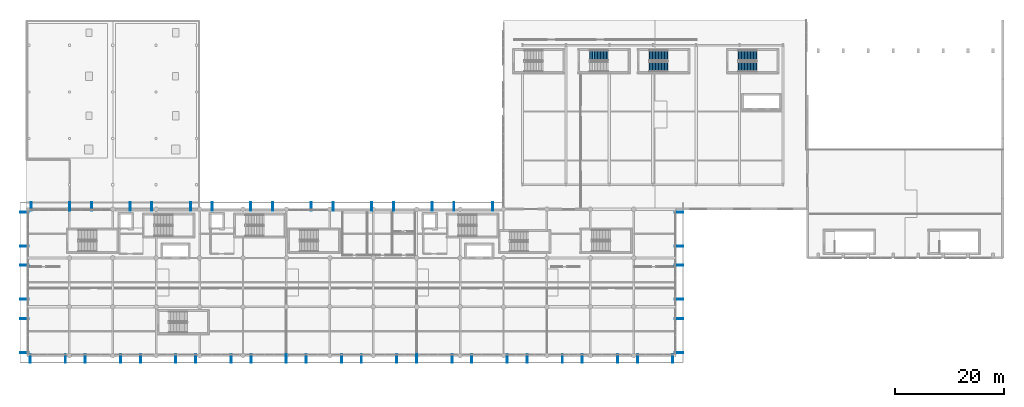
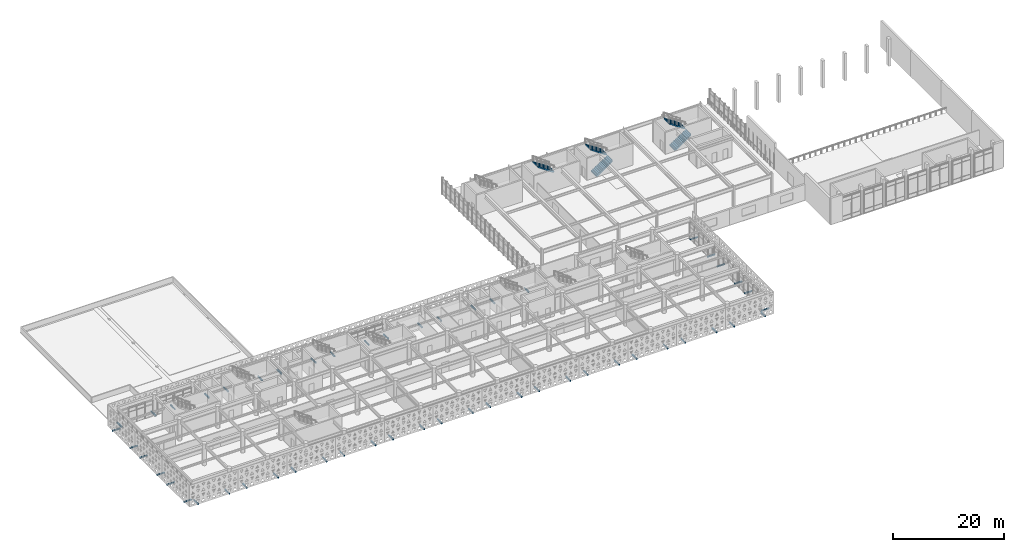
# One storey, part 42 of 54: 52 discrete accessories, 5 stair flights, 3 elements without a shape of their own.
"""IFC4 building model written with IfcOpenShell, lengths in metres."""

from ifc_helpers import new_model, si_unit, direction, frame, origin, origin_2d, place, context, subcontext, project, spatial, polyline, rectangle, outline, extrude, material, layer, layer_set, type_object, element, aggregate, save


model = new_model("IFC4")

# Units and contexts
model_context = context("Model", 3, precision=1e-05, world=origin(), true_north=direction((0.0, 1.0)))
body_context = subcontext(model_context, "Body", "Model", "MODEL_VIEW")
ifc_project = project(units=[si_unit("LENGTHUNIT", "METRE"), si_unit("AREAUNIT", "SQUARE_METRE"), si_unit("VOLUMEUNIT", "CUBIC_METRE"), si_unit("PLANEANGLEUNIT", "RADIAN"), si_unit("MASSUNIT", "GRAM", prefix="KILO")], contexts=[model_context])

# Site, building, storey
site_placement = place(None, origin())
site = spatial("IfcSite", under=ifc_project, at=site_placement, CompositionType="ELEMENT")
building_placement = place(site_placement, origin())
building = spatial("IfcBuilding", under=site, at=building_placement, Name="Tlacozan Convention Centre", CompositionType="ELEMENT")
storey_placement = place(building_placement, frame((0.0, 0.0, 11.39990234375)))
storey = spatial("IfcBuildingStorey", under=building, at=storey_placement, Name="L02", CompositionType="ELEMENT", Elevation=11.39990234375)

# Stair, stair flights
ifc_material_1 = material(Name="Concrete C40/50", Category="concrete")
stair_type = type_object("IfcStairType", Name="Protected Dogleg Stair W188 H48", PredefinedType="HALF_TURN_STAIR", material=ifc_material_1)
stair_1_placement = place(storey_placement, origin())
stair_1 = element("IfcStair", 1, at=stair_1_placement, inside=storey, type_object=stair_type, Name="L02 Ballroom and Plenary Hub Core Stair ST-03", PredefinedType="HALF_TURN_STAIR")
stair_flight_type = type_object("IfcStairFlightType", Name="Concrete Stair Flight W188 H48", PredefinedType="STRAIGHT", material=ifc_material_1)
stair_flight_1_placement = place(storey_placement, frame((131.280029296875, 53.239990234375, 0.0), z_axis=(0.0, 0.0, 1.0), x_axis=(1.0, 0.0, 0.0)))
stair_flight_1 = element("IfcStairFlight", 2, at=stair_flight_1_placement, type_object=stair_flight_type, Name="ST-03 flight 1", NumberOfRisers=13, NumberOfTreads=12, PredefinedType="STRAIGHT", RiserHeight=0.184615385, TreadLength=0.28, context=body_context, shape_type="SweptSolid", body=[
    extrude(outline(polyline([(-0.044921875, -0.14990234375), (-0.044921875, 0.0), (0.0, 0.0), (0.0, 0.1845703125), (0.280029296875, 0.1845703125), (0.280029296875, 0.369140625), (0.56005859375, 0.369140625), (0.56005859375, 0.553955078125), (0.840087890625, 0.553955078125), (0.840087890625, 0.738525390625), (1.1201171875, 0.738525390625), (1.1201171875, 0.923095703125), (1.39990234375, 0.923095703125), (1.39990234375, 1.107666015625), (1.679931640625, 1.107666015625), (1.679931640625, 1.292236328125), (1.9599609375, 1.292236328125), (1.9599609375, 1.476806640625), (2.239990234375, 1.476806640625), (2.239990234375, 1.66162109375), (2.52001953125, 1.66162109375), (2.52001953125, 1.84619140625), (2.800048828125, 1.84619140625), (2.800048828125, 2.03076171875), (3.080078125, 2.03076171875), (3.080078125, 2.21533203125), (3.360107421875, 2.21533203125), (3.360107421875, 2.39990234375), (3.405029296875, 2.39990234375), (3.405029296875, 2.25), (3.360107421875, 2.035888671875), (0.272216796875, -0.14990234375), (-0.044921875, -0.14990234375)])), frame((0.0, 0.93994140625, 0.0), z_axis=(0.0, -1.0, 0.0), x_axis=(1.0, 0.0, 0.0)), (0.0, 0.0, 1.0), 1.8798828125),
])
stair_flight_2_placement = place(storey_placement, frame((134.639892578125, 55.320068359375, 2.400146484375), z_axis=(0.0, 0.0, 1.0), x_axis=(-1.0, 0.0, 0.0)))
stair_flight_2 = element("IfcStairFlight", 3, at=stair_flight_2_placement, type_object=stair_flight_type, Name="ST-03 flight 2", NumberOfRisers=13, NumberOfTreads=12, PredefinedType="STRAIGHT", RiserHeight=0.184615385, TreadLength=0.28, context=body_context, shape_type="SweptSolid", body=[
    extrude(outline(polyline([(-0.044921875, -0.14990234375), (-0.044921875, 0.0), (0.0, 0.0), (0.0, 0.1845703125), (0.280029296875, 0.1845703125), (0.280029296875, 0.369140625), (0.56005859375, 0.369140625), (0.56005859375, 0.553955078125), (0.840087890625, 0.553955078125), (0.840087890625, 0.738525390625), (1.1201171875, 0.738525390625), (1.1201171875, 0.923095703125), (1.39990234375, 0.923095703125), (1.39990234375, 1.107666015625), (1.679931640625, 1.107666015625), (1.679931640625, 1.292236328125), (1.9599609375, 1.292236328125), (1.9599609375, 1.476806640625), (2.239990234375, 1.476806640625), (2.239990234375, 1.66162109375), (2.52001953125, 1.66162109375), (2.52001953125, 1.84619140625), (2.800048828125, 1.84619140625), (2.800048828125, 2.03076171875), (3.080078125, 2.03076171875), (3.080078125, 2.21533203125), (3.360107421875, 2.21533203125), (3.360107421875, 2.39990234375), (3.405029296875, 2.39990234375), (3.405029296875, 2.25), (3.360107421875, 2.035888671875), (0.272216796875, -0.14990234375), (-0.044921875, -0.14990234375)])), frame((0.0, 0.93994140625, 0.0), z_axis=(0.0, -1.0, 0.0), x_axis=(1.0, 0.0, 0.0)), (0.0, 0.0, 1.0), 1.8798828125),
])
aggregate(stair_1, [stair_flight_1, stair_flight_2])

# Stair, stair flight
stair_2_placement = place(storey_placement, origin())
stair_2 = element("IfcStair", 4, at=stair_2_placement, inside=storey, type_object=stair_type, Name="L02 Ballroom Courtyard Stair", PredefinedType="HALF_TURN_STAIR")
stair_flight_3_placement = place(storey_placement, frame((107.239990234375, 55.320068359375, 2.400146484375), z_axis=(0.0, 0.0, 1.0), x_axis=(-1.0, 0.0, 0.0)))
stair_flight_3 = element("IfcStairFlight", 5, at=stair_flight_3_placement, type_object=stair_flight_type, Name="ST-17 flight 2", NumberOfRisers=13, NumberOfTreads=12, PredefinedType="STRAIGHT", RiserHeight=0.184615385, TreadLength=0.28, context=body_context, shape_type="SweptSolid", body=[
    extrude(outline(polyline([(-0.044921875, -0.14990234375), (-0.044921875, 0.0), (0.0, 0.0), (0.0, 0.1845703125), (0.280029296875, 0.1845703125), (0.280029296875, 0.369140625), (0.56005859375, 0.369140625), (0.56005859375, 0.553955078125), (0.840087890625, 0.553955078125), (0.840087890625, 0.738525390625), (1.1201171875, 0.738525390625), (1.1201171875, 0.923095703125), (1.39990234375, 0.923095703125), (1.39990234375, 1.107666015625), (1.679931640625, 1.107666015625), (1.679931640625, 1.292236328125), (1.9599609375, 1.292236328125), (1.9599609375, 1.476806640625), (2.239990234375, 1.476806640625), (2.239990234375, 1.66162109375), (2.52001953125, 1.66162109375), (2.52001953125, 1.84619140625), (2.800048828125, 1.84619140625), (2.800048828125, 2.03076171875), (3.080078125, 2.03076171875), (3.080078125, 2.21533203125), (3.360107421875, 2.21533203125), (3.360107421875, 2.39990234375), (3.405029296875, 2.39990234375), (3.405029296875, 2.25), (3.360107421875, 2.035888671875), (0.272216796875, -0.14990234375), (-0.044921875, -0.14990234375)])), frame((0.0, 0.93994140625, 0.0), z_axis=(0.0, -1.0, 0.0), x_axis=(1.0, 0.0, 0.0)), (0.0, 0.0, 1.0), 1.8798828125),
])
aggregate(stair_2, [stair_flight_3])

# Stair, stair flights
stair_3_placement = place(storey_placement, origin())
stair_3 = element("IfcStair", 6, at=stair_3_placement, inside=storey, type_object=stair_type, Name="L02 Ballroom East Terrace Stair", PredefinedType="HALF_TURN_STAIR")
stair_flight_4_placement = place(storey_placement, frame((114.8798828125, 53.239990234375, 0.0), z_axis=(0.0, 0.0, 1.0), x_axis=(1.0, 0.0, 0.0)))
stair_flight_4 = element("IfcStairFlight", 7, at=stair_flight_4_placement, type_object=stair_flight_type, Name="ST-18 flight 1", NumberOfRisers=13, NumberOfTreads=12, PredefinedType="STRAIGHT", RiserHeight=0.184615385, TreadLength=0.28, context=body_context, shape_type="SweptSolid", body=[
    extrude(outline(polyline([(-0.044921875, -0.14990234375), (-0.044921875, 0.0), (0.0, 0.0), (0.0, 0.1845703125), (0.280029296875, 0.1845703125), (0.280029296875, 0.369140625), (0.56005859375, 0.369140625), (0.56005859375, 0.553955078125), (0.840087890625, 0.553955078125), (0.840087890625, 0.738525390625), (1.1201171875, 0.738525390625), (1.1201171875, 0.923095703125), (1.39990234375, 0.923095703125), (1.39990234375, 1.107666015625), (1.679931640625, 1.107666015625), (1.679931640625, 1.292236328125), (1.9599609375, 1.292236328125), (1.9599609375, 1.476806640625), (2.239990234375, 1.476806640625), (2.239990234375, 1.66162109375), (2.52001953125, 1.66162109375), (2.52001953125, 1.84619140625), (2.800048828125, 1.84619140625), (2.800048828125, 2.03076171875), (3.080078125, 2.03076171875), (3.080078125, 2.21533203125), (3.360107421875, 2.21533203125), (3.360107421875, 2.39990234375), (3.405029296875, 2.39990234375), (3.405029296875, 2.25), (3.360107421875, 2.035888671875), (0.272216796875, -0.14990234375), (-0.044921875, -0.14990234375)])), frame((0.0, 0.93994140625, 0.0), z_axis=(0.0, -1.0, 0.0), x_axis=(1.0, 0.0, 0.0)), (0.0, 0.0, 1.0), 1.8798828125),
])
stair_flight_5_placement = place(storey_placement, frame((118.239990234375, 55.320068359375, 2.400146484375), z_axis=(0.0, 0.0, 1.0), x_axis=(-1.0, 0.0, 0.0)))
stair_flight_5 = element("IfcStairFlight", 8, at=stair_flight_5_placement, type_object=stair_flight_type, Name="ST-18 flight 2", NumberOfRisers=13, NumberOfTreads=12, PredefinedType="STRAIGHT", RiserHeight=0.184615385, TreadLength=0.28, context=body_context, shape_type="SweptSolid", body=[
    extrude(outline(polyline([(-0.044921875, -0.14990234375), (-0.044921875, 0.0), (0.0, 0.0), (0.0, 0.1845703125), (0.280029296875, 0.1845703125), (0.280029296875, 0.369140625), (0.56005859375, 0.369140625), (0.56005859375, 0.553955078125), (0.840087890625, 0.553955078125), (0.840087890625, 0.738525390625), (1.1201171875, 0.738525390625), (1.1201171875, 0.923095703125), (1.39990234375, 0.923095703125), (1.39990234375, 1.107666015625), (1.679931640625, 1.107666015625), (1.679931640625, 1.292236328125), (1.9599609375, 1.292236328125), (1.9599609375, 1.476806640625), (2.239990234375, 1.476806640625), (2.239990234375, 1.66162109375), (2.52001953125, 1.66162109375), (2.52001953125, 1.84619140625), (2.800048828125, 1.84619140625), (2.800048828125, 2.03076171875), (3.080078125, 2.03076171875), (3.080078125, 2.21533203125), (3.360107421875, 2.21533203125), (3.360107421875, 2.39990234375), (3.405029296875, 2.39990234375), (3.405029296875, 2.25), (3.360107421875, 2.035888671875), (0.272216796875, -0.14990234375), (-0.044921875, -0.14990234375)])), frame((0.0, 0.93994140625, 0.0), z_axis=(0.0, -1.0, 0.0), x_axis=(1.0, 0.0, 0.0)), (0.0, 0.0, 1.0), 1.8798828125),
])
aggregate(stair_3, [stair_flight_4, stair_flight_5])

# Discrete accessories
ifc_material_2 = material(Name="Steel ASTM A572 Grade 50", Category="steel")
ifc_layer = layer(ifc_material_2, 0.179931640625)
ifc_layer_set = layer_set([ifc_layer], Name="Steel ASTM A572 Grade 50")
discrete_accessory_type = type_object("IfcDiscreteAccessoryType", Name="Screen Steel Outrigger Bracket", PredefinedType="BRACKET", material=ifc_layer_set)
for number, where, z_axis, x_axis, name in (
    (9, (0.78271484375, -0.5048828125, -0.10986328125), (0.0, 0.0, 1.0), (0.0, 1.0, 0.0), "L02 Screen Outrigger Bracket 49"),
    (10, (7.292236328125, -0.5048828125, -0.10986328125), (0.0, 0.0, 1.0), (0.0, 1.0, 0.0), "L02 Screen Outrigger Bracket 50"),
    (11, (10.957763671875, -0.5048828125, -0.10986328125), (0.0, 0.0, 1.0), (0.0, 1.0, 0.0), "L02 Screen Outrigger Bracket 51"),
    (12, (17.46728515625, -0.5048828125, -0.10986328125), (0.0, 0.0, 1.0), (0.0, 1.0, 0.0), "L02 Screen Outrigger Bracket 52"),
    (13, (21.1328125, -0.5048828125, -0.10986328125), (0.0, 0.0, 1.0), (0.0, 1.0, 0.0), "L02 Screen Outrigger Bracket 53"),
    (14, (27.64208984375, -0.5048828125, -0.10986328125), (0.0, 0.0, 1.0), (0.0, 1.0, 0.0), "L02 Screen Outrigger Bracket 54"),
    (15, (31.307861328125, -0.5048828125, -0.10986328125), (0.0, 0.0, 1.0), (0.0, 1.0, 0.0), "L02 Screen Outrigger Bracket 55"),
    (16, (37.817138671875, -0.5048828125, -0.10986328125), (0.0, 0.0, 1.0), (0.0, 1.0, 0.0), "L02 Screen Outrigger Bracket 56"),
    (17, (41.48291015625, -0.5048828125, -0.10986328125), (0.0, 0.0, 1.0), (0.0, 1.0, 0.0), "L02 Screen Outrigger Bracket 57"),
    (18, (47.9921875, -0.5048828125, -0.10986328125), (0.0, 0.0, 1.0), (0.0, 1.0, 0.0), "L02 Screen Outrigger Bracket 58"),
    (19, (51.65771484375, -0.5048828125, -0.10986328125), (0.0, 0.0, 1.0), (0.0, 1.0, 0.0), "L02 Screen Outrigger Bracket 59"),
    (20, (58.167236328125, -0.5048828125, -0.10986328125), (0.0, 0.0, 1.0), (0.0, 1.0, 0.0), "L02 Screen Outrigger Bracket 60"),
    (21, (61.832763671875, -0.5048828125, -0.10986328125), (0.0, 0.0, 1.0), (0.0, 1.0, 0.0), "L02 Screen Outrigger Bracket 61"),
    (22, (68.34228515625, -0.5048828125, -0.10986328125), (0.0, 0.0, 1.0), (0.0, 1.0, 0.0), "L02 Screen Outrigger Bracket 62"),
    (23, (72.0078125, -0.5048828125, -0.10986328125), (0.0, 0.0, 1.0), (0.0, 1.0, 0.0), "L02 Screen Outrigger Bracket 63"),
    (24, (78.51708984375, -0.5048828125, -0.10986328125), (0.0, 0.0, 1.0), (0.0, 1.0, 0.0), "L02 Screen Outrigger Bracket 64"),
    (25, (82.182861328125, -0.5048828125, -0.10986328125), (0.0, 0.0, 1.0), (0.0, 1.0, 0.0), "L02 Screen Outrigger Bracket 65"),
    (26, (88.692138671875, -0.5048828125, -0.10986328125), (0.0, 0.0, 1.0), (0.0, 1.0, 0.0), "L02 Screen Outrigger Bracket 66"),
    (27, (92.35791015625, -0.5048828125, -0.10986328125), (0.0, 0.0, 1.0), (0.0, 1.0, 0.0), "L02 Screen Outrigger Bracket 67"),
    (28, (98.8671875, -0.5048828125, -0.10986328125), (0.0, 0.0, 1.0), (0.0, 1.0, 0.0), "L02 Screen Outrigger Bracket 68"),
    (29, (102.53271484375, -0.5048828125, -0.10986328125), (0.0, 0.0, 1.0), (0.0, 1.0, 0.0), "L02 Screen Outrigger Bracket 69"),
    (30, (109.042236328125, -0.5048828125, -0.10986328125), (0.0, 0.0, 1.0), (0.0, 1.0, 0.0), "L02 Screen Outrigger Bracket 70"),
    (31, (112.707763671875, -0.5048828125, -0.10986328125), (0.0, 0.0, 1.0), (0.0, 1.0, 0.0), "L02 Screen Outrigger Bracket 71"),
    (32, (119.21728515625, -0.5048828125, -0.10986328125), (0.0, 0.0, 1.0), (0.0, 1.0, 0.0), "L02 Screen Outrigger Bracket 72"),
    (33, (-0.304931640625, 0.55908203125, -0.10986328125), (0.0, 0.0, 1.0), (1.0, 0.0, 0.0), "L02 Screen Outrigger Bracket 73"),
    (34, (-0.304931640625, 6.83154296875, -0.10986328125), (0.0, 0.0, 1.0), (1.0, 0.0, 0.0), "L02 Screen Outrigger Bracket 74"),
    (35, (-0.304931640625, 10.36376953125, -0.10986328125), (0.0, 0.0, 1.0), (1.0, 0.0, 0.0), "L02 Screen Outrigger Bracket 75"),
    (36, (-0.304931640625, 16.63623046875, -0.10986328125), (0.0, 0.0, 1.0), (1.0, 0.0, 0.0), "L02 Screen Outrigger Bracket 76"),
    (37, (-0.304931640625, 20.16845703125, -0.10986328125), (0.0, 0.0, 1.0), (1.0, 0.0, 0.0), "L02 Screen Outrigger Bracket 77"),
    (38, (-0.304931640625, 26.44091796875, -0.10986328125), (0.0, 0.0, 1.0), (1.0, 0.0, 0.0), "L02 Screen Outrigger Bracket 78"),
    (39, (120.304931640625, 0.55908203125, -0.10986328125), (0.0, 0.0, 1.0), (-1.0, 0.0, 0.0), "L02 Screen Outrigger Bracket 79"),
    (40, (120.304931640625, 6.83154296875, -0.10986328125), (0.0, 0.0, 1.0), (-1.0, 0.0, 0.0), "L02 Screen Outrigger Bracket 80"),
    (41, (120.304931640625, 10.36376953125, -0.10986328125), (0.0, 0.0, 1.0), (-1.0, 0.0, 0.0), "L02 Screen Outrigger Bracket 81"),
    (42, (120.304931640625, 16.63623046875, -0.10986328125), (0.0, 0.0, 1.0), (-1.0, 0.0, 0.0), "L02 Screen Outrigger Bracket 82"),
    (43, (120.304931640625, 20.16845703125, -0.10986328125), (0.0, 0.0, 1.0), (-1.0, 0.0, 0.0), "L02 Screen Outrigger Bracket 83"),
    (44, (120.304931640625, 26.44091796875, -0.10986328125), (0.0, 0.0, 1.0), (-1.0, 0.0, 0.0), "L02 Screen Outrigger Bracket 84"),
    (45, (0.954833984375, 27.5048828125, -0.10986328125), (0.0, 0.0, 1.0), (0.0, -1.0, 0.0), "L02 Screen Outrigger Bracket 85"),
    (46, (8.076416015625, 27.5048828125, -0.10986328125), (0.0, 0.0, 1.0), (0.0, -1.0, 0.0), "L02 Screen Outrigger Bracket 86"),
    (47, (12.086181640625, 27.5048828125, -0.10986328125), (0.0, 0.0, 1.0), (0.0, -1.0, 0.0), "L02 Screen Outrigger Bracket 87"),
    (48, (19.20751953125, 27.5048828125, -0.10986328125), (0.0, 0.0, 1.0), (0.0, -1.0, 0.0), "L02 Screen Outrigger Bracket 88"),
    (49, (23.21728515625, 27.5048828125, -0.10986328125), (0.0, 0.0, 1.0), (0.0, -1.0, 0.0), "L02 Screen Outrigger Bracket 89"),
    (50, (30.3388671875, 27.5048828125, -0.10986328125), (0.0, 0.0, 1.0), (0.0, -1.0, 0.0), "L02 Screen Outrigger Bracket 90"),
    (51, (34.3486328125, 27.5048828125, -0.10986328125), (0.0, 0.0, 1.0), (0.0, -1.0, 0.0), "L02 Screen Outrigger Bracket 91"),
    (52, (41.47021484375, 27.5048828125, -0.10986328125), (0.0, 0.0, 1.0), (0.0, -1.0, 0.0), "L02 Screen Outrigger Bracket 92"),
    (53, (45.47998046875, 27.5048828125, -0.10986328125), (0.0, 0.0, 1.0), (0.0, -1.0, 0.0), "L02 Screen Outrigger Bracket 93"),
    (54, (52.601318359375, 27.5048828125, -0.10986328125), (0.0, 0.0, 1.0), (0.0, -1.0, 0.0), "L02 Screen Outrigger Bracket 94"),
    (55, (56.611083984375, 27.5048828125, -0.10986328125), (0.0, 0.0, 1.0), (0.0, -1.0, 0.0), "L02 Screen Outrigger Bracket 95"),
    (56, (63.732666015625, 27.5048828125, -0.10986328125), (0.0, 0.0, 1.0), (0.0, -1.0, 0.0), "L02 Screen Outrigger Bracket 96"),
    (57, (67.742431640625, 27.5048828125, -0.10986328125), (0.0, 0.0, 1.0), (0.0, -1.0, 0.0), "L02 Screen Outrigger Bracket 97"),
    (58, (74.86376953125, 27.5048828125, -0.10986328125), (0.0, 0.0, 1.0), (0.0, -1.0, 0.0), "L02 Screen Outrigger Bracket 98"),
    (59, (78.873779296875, 27.5048828125, -0.10986328125), (0.0, 0.0, 1.0), (0.0, -1.0, 0.0), "L02 Screen Outrigger Bracket 99"),
    (60, (85.9951171875, 27.5048828125, -0.10986328125), (0.0, 0.0, 1.0), (0.0, -1.0, 0.0), "L02 Screen Outrigger Bracket 100"),
):
    element("IfcDiscreteAccessory", number, at=place(storey_placement, frame(where, z_axis=z_axis, x_axis=x_axis)), inside=storey, type_object=discrete_accessory_type, Name=name, PredefinedType="BRACKET", context=body_context, shape_type="SweptSolid", body=[
        extrude(rectangle(XDim=1.570068359375, YDim=0.179931640625, at=origin_2d()), origin(), (0.0, 0.0, 1.0), 0.239990234375),
    ])

save(model, "model.ifc")
